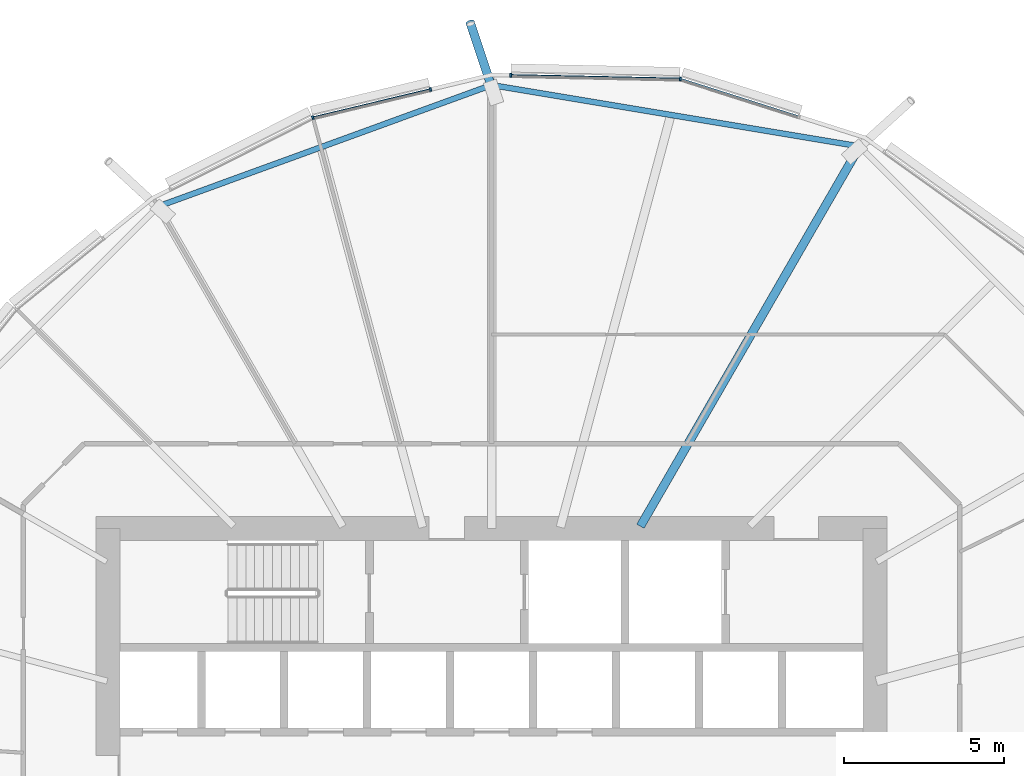
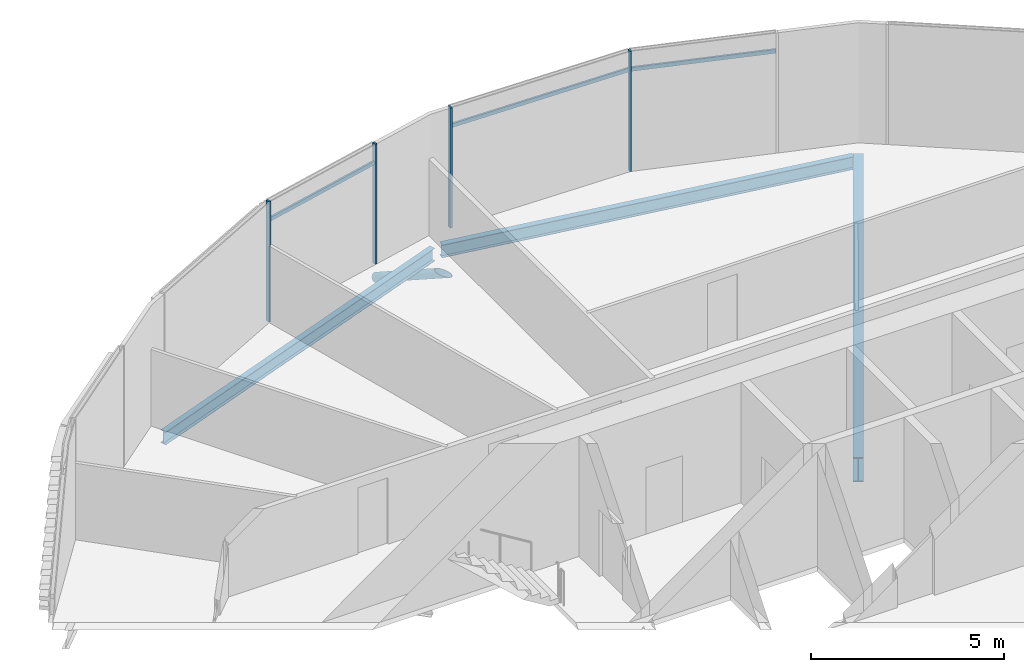
# One storey, part 17 of 39: 8 members, 3 beams, 1 element without a shape of its own.
"""IFC4 building model written with IfcOpenShell, lengths in metres."""

import ifcopenshell
import ifcopenshell.guid

model = None  # the IFC model being written
_history = None  # IfcOwnerHistory: only IFC2X3 demands one
_inside = {}  # id of a spatial element -> (the spatial element, [elements in it])
_under = {}  # id of a project, library or spatial element -> (it, [spatial elements below it])
_declared = {}  # id of a project -> (the project, [libraries it declares])
_typed = {}  # id of a type object -> (the type object, [elements of that type])
_made_of = {}  # id of a material, layer set ... -> (it, [elements and type objects made of it])


def new_model(schema):
    """Start an empty IFC model of exactly this schema.

    Asked for "IFC4X3", IfcOpenShell would pick the latest addendum, in which some entities
    have other attributes; the version numbers below select the first issue.
    IFC2X3 requires an IfcOwnerHistory on every rooted entity: one is made here for all.
    """
    global model, _history
    if schema == "IFC4X3":
        model = ifcopenshell.file(schema_version=(4, 3, 0, 0))
    else:
        model = ifcopenshell.file(schema=schema)
    _inside.clear()
    _under.clear()
    _declared.clear()
    _typed.clear()
    _made_of.clear()
    _history = None
    if model.schema == "IFC2X3":
        org = make("IfcOrganization", Name="unknown")
        user = make(
            "IfcPersonAndOrganization",
            ThePerson=make("IfcPerson", FamilyName="unknown"),
            TheOrganization=org,
        )
        app = make(
            "IfcApplication",
            ApplicationDeveloper=org,
            Version="unknown",
            ApplicationFullName="unknown",
            ApplicationIdentifier="unknown",
        )
        _history = make(
            "IfcOwnerHistory",
            OwningUser=user,
            OwningApplication=app,
            ChangeAction="ADDED",
            CreationDate=0,
        )
    return model


def make(cls, **values):
    """One entity of the class cls with the attributes given. An attribute that is None is left unset."""
    return model.create_entity(
        cls, **{name: value for name, value in values.items() if value is not None}
    )


def rooted(cls, **values):
    """An entity with a GlobalId (a new one), such as an element, a storey or a relation."""
    return make(cls, GlobalId=ifcopenshell.guid.new(), OwnerHistory=_history, **values)


def si_unit(unit_type, name, prefix=None):
    """IfcSIUnit, for example si_unit("LENGTHUNIT", "METRE", prefix="MILLI")."""
    return make("IfcSIUnit", UnitType=unit_type, Prefix=prefix, Name=name)


def assignment(units):
    """IfcUnitAssignment: the units of a project."""
    return None if units is None else make("IfcUnitAssignment", Units=units)


def point(xyz):
    """IfcCartesianPoint."""
    return None if xyz is None else make("IfcCartesianPoint", Coordinates=xyz)


def direction(xyz):
    """IfcDirection."""
    return None if xyz is None else make("IfcDirection", DirectionRatios=xyz)


def frame(location, z_axis=None, x_axis=None):
    """IfcAxis2Placement3D, a coordinate frame: its origin and axes. An axis left out is left unset."""
    return make(
        "IfcAxis2Placement3D",
        Location=point(location),
        Axis=direction(z_axis),
        RefDirection=direction(x_axis),
    )


def frame_2d(location, x_axis=None):
    """IfcAxis2Placement2D, a coordinate frame in the plane: its origin and x axis."""
    return make(
        "IfcAxis2Placement2D", Location=point(location), RefDirection=direction(x_axis)
    )


def origin():
    """The frame at (0, 0, 0) with its axes left unset."""
    return frame((0.0, 0.0, 0.0))


def origin_2d():
    """The frame at (0, 0) in the plane with its x axis left unset."""
    return frame_2d((0.0, 0.0))


def place(relative_to, where):
    """IfcLocalPlacement: puts the frame where relative to a parent placement (None: the world)."""
    return make(
        "IfcLocalPlacement", PlacementRelTo=relative_to, RelativePlacement=where
    )


def context(
    kind, dimensions, precision=None, world=None, true_north=None, identifier=None
):
    """IfcGeometricRepresentationContext, for example the 3D "Model" context."""
    return make(
        "IfcGeometricRepresentationContext",
        ContextIdentifier=identifier,
        ContextType=kind,
        CoordinateSpaceDimension=dimensions,
        Precision=precision,
        WorldCoordinateSystem=world,
        TrueNorth=true_north,
    )


def subcontext(parent, identifier, kind, view, scale=None):
    """IfcGeometricRepresentationSubContext, for example "Body" below "Model"."""
    return make(
        "IfcGeometricRepresentationSubContext",
        ContextIdentifier=identifier,
        ContextType=kind,
        ParentContext=parent,
        TargetScale=scale,
        TargetView=view,
    )


def project(units=None, contexts=None):
    """IfcProject with its units and contexts."""
    return rooted(
        "IfcProject",
        Name="project",
        RepresentationContexts=contexts,
        UnitsInContext=assignment(units),
    )


def spatial(cls, under=None, at=None, **own):
    """A site, building, storey or space (cls), placed at a placement, below another one or the project."""
    s = rooted(cls, ObjectPlacement=at, **own)
    if under is not None:
        _under.setdefault(under.id(), (under, []))[1].append(s)
    return s


def profile(cls, at=None, kind="AREA", **sizes):
    """A parametric profile (cls). Its sizes go by their IFC names, for example OverallWidth=200.0."""
    return make(cls, ProfileType=kind, Position=at, **sizes)


def rectangle(**sizes):
    """IfcRectangleProfileDef."""
    return profile("IfcRectangleProfileDef", **sizes)


def hollow_circle(**sizes):
    """IfcCircleHollowProfileDef."""
    return profile("IfcCircleHollowProfileDef", **sizes)


def i_section(**sizes):
    """IfcIShapeProfileDef."""
    return profile("IfcIShapeProfileDef", **sizes)


def extrude(swept, where, along, depth):
    """IfcExtrudedAreaSolid: the profile swept, set in the frame where, extruded along a direction by depth."""
    return make(
        "IfcExtrudedAreaSolid",
        SweptArea=swept,
        Position=where,
        ExtrudedDirection=direction(along),
        Depth=depth,
    )


def clip(a, b, op="DIFFERENCE"):
    """IfcBooleanClippingResult: the solid a cut by the half space b."""
    return make(
        "IfcBooleanClippingResult", Operator=op, FirstOperand=a, SecondOperand=b
    )


def halfspace(plane, agree):
    """IfcHalfSpaceSolid: all space on one side of the plane z = 0 of the frame plane."""
    return make(
        "IfcHalfSpaceSolid",
        BaseSurface=make("IfcPlane", Position=plane),
        AgreementFlag=agree,
    )


def shape(context_of_items, identifier, shape_type, items):
    """IfcShapeRepresentation: the items that make up one representation, for example the "Body"."""
    return make(
        "IfcShapeRepresentation",
        ContextOfItems=context_of_items,
        RepresentationIdentifier=identifier,
        RepresentationType=shape_type,
        Items=items,
    )


def material(Name=None, Category=None):
    """IfcMaterial."""
    return make("IfcMaterial", Name=Name, Category=Category)


def material_profile(
    of_material, cross_section, Name=None, Category=None, Priority=None
):
    """IfcMaterialProfile: a cross section and its material."""
    return make(
        "IfcMaterialProfile",
        Name=Name,
        Material=of_material,
        Profile=cross_section,
        Priority=Priority,
        Category=Category,
    )


def profile_set(profiles, Name=None, composite=None):
    """IfcMaterialProfileSet."""
    return make(
        "IfcMaterialProfileSet",
        Name=Name,
        MaterialProfiles=profiles,
        CompositeProfile=composite,
    )


def made_of(thing, what):
    """Note that an element or type object is made of a material, layer set ...; save() writes the relation."""
    if what is not None:
        _made_of.setdefault(what.id(), (what, []))[1].append(thing)
    return thing


def type_object(cls, material=None, **own):
    """A type object (cls), such as IfcWallType, which elements share."""
    return made_of(rooted(cls, **own), material)


def element(
    cls,
    number,
    at=None,
    inside=None,
    cuts=None,
    type_object=None,
    material=None,
    context=None,
    identifier="Body",
    shape_type=None,
    held_by="IfcProductDefinitionShape",
    body=None,
    shapes=None,
    **own,
):
    """One element of the class cls, such as IfcWall. Its Tag is "e" and its number.

    at: its placement. inside: the storey or other place that contains it. cuts: it is an
    opening in that element (IfcRelVoidsElement). A single representation is given by context,
    identifier, shape_type and body (its items); several are given by shapes. held_by: the class
    of the entity that holds the representations. save() writes the other relations.
    """
    e = rooted(cls, Tag="e%d" % number, ObjectPlacement=at, **own)
    if body is not None:
        shapes = [shape(context, identifier, shape_type, body)]
    if shapes is not None:
        e.Representation = make(held_by, Representations=shapes)
    if inside is not None:
        _inside.setdefault(inside.id(), (inside, []))[1].append(e)
    if cuts is not None:
        rooted(
            "IfcRelVoidsElement", RelatingBuildingElement=cuts, RelatedOpeningElement=e
        )
    if type_object is not None:
        _typed.setdefault(type_object.id(), (type_object, []))[1].append(e)
    return made_of(e, material)


def aggregate(whole, parts):
    """IfcRelAggregates: a whole, such as a stair, and the parts it consists of."""
    return rooted("IfcRelAggregates", RelatingObject=whole, RelatedObjects=parts)


def save(model, path):
    """Write the relations noted so far, then the file.

    IfcRelAggregates (storeys below a building ...), IfcRelContainedInSpatialStructure (elements
    in a storey), IfcRelDefinesByType, IfcRelAssociatesMaterial and IfcRelDeclares: one each for
    every whole, place, type object, material and project.
    """
    for whole, parts in _under.values():
        aggregate(whole, parts)
    for where, things in _inside.values():
        rooted(
            "IfcRelContainedInSpatialStructure",
            RelatedElements=things,
            RelatingStructure=where,
        )
    for kind, things in _typed.values():
        rooted("IfcRelDefinesByType", RelatedObjects=things, RelatingType=kind)
    for what, things in _made_of.values():
        rooted("IfcRelAssociatesMaterial", RelatedObjects=things, RelatingMaterial=what)
    for by, libraries in _declared.values():
        rooted("IfcRelDeclares", RelatingContext=by, RelatedDefinitions=libraries)
    model.write(path)


model = new_model("IFC4")

# Units and contexts
model_context = context("Model", 3, precision=1e-05, world=origin(), true_north=direction((0.0, 1.0)))
body_context = subcontext(model_context, "Body", "Model", "MODEL_VIEW")
ifc_project = project(units=[si_unit("LENGTHUNIT", "METRE"), si_unit("AREAUNIT", "SQUARE_METRE"), si_unit("VOLUMEUNIT", "CUBIC_METRE"), si_unit("PLANEANGLEUNIT", "RADIAN"), si_unit("MASSUNIT", "GRAM", prefix="KILO")], contexts=[model_context])

# Site, building, storey
site_placement = place(None, origin())
site = spatial("IfcSite", under=ifc_project, at=site_placement, CompositionType="ELEMENT")
building_placement = place(site_placement, origin())
building = spatial("IfcBuilding", under=site, at=building_placement, Name="Rimbun Link Towers", CompositionType="ELEMENT")
storey_placement = place(building_placement, frame((0.0, 0.0, 96.800048828125)))
storey = spatial("IfcBuildingStorey", under=building, at=storey_placement, Name="L23", CompositionType="ELEMENT", Elevation=96.800048828125)

# Curtain wall, members
ifc_material_1 = material(Name="Aluminium 6063-T6 and low-iron glass", Category="aluminium")
curtain_wall_type = type_object("IfcCurtainWallType", Name="CW1-Z2 unitised vision wall (zone 2)", PredefinedType="NOTDEFINED", material=ifc_material_1)
curtain_wall_placement = place(storey_placement, origin())
curtain_wall = element("IfcCurtainWall", 1, at=curtain_wall_placement, inside=storey, type_object=curtain_wall_type, Name="CW1 L23 T2", PredefinedType="NOTDEFINED")
ifc_material_2 = material(Name="Aluminium 6063-T6", Category="aluminium")
ifc_material_profile_1 = material_profile(ifc_material_2, rectangle(XDim=0.1201171875, YDim=0.06005859375, at=origin_2d()), Name="MULLION 60X120")
ifc_profile_set_1 = profile_set([ifc_material_profile_1], Name="Aluminium 6063-T6")
member_type_1 = type_object("IfcMemberType", Name="CW1 mullion 60X120", PredefinedType="MULLION", material=ifc_profile_set_1)
member_1_placement = place(storey_placement, frame((37.656005859375, 22.06396484375, 0.0), z_axis=(0.0, 0.0, 1.0), x_axis=(0.16374422533, 0.986502827503, 0.0)))
member_1 = element("IfcMember", 2, at=member_1_placement, type_object=member_type_1, Name="CW1 mullion", PredefinedType="MULLION", context=body_context, shape_type="SweptSolid", body=[
    extrude(rectangle(XDim=0.1201171875, YDim=0.06005859375, at=origin_2d()), origin(), (0.0, 0.0, 1.0), 3.800048828125),
])
member_2_placement = place(storey_placement, frame((32.35107421875, 22.17626953125, 0.0), z_axis=(0.0, 0.0, 1.0), x_axis=(0.021059742681, 0.999778219026, 0.0)))
member_2 = element("IfcMember", 3, at=member_2_placement, type_object=member_type_1, Name="CW1 mullion", PredefinedType="MULLION", context=body_context, shape_type="SweptSolid", body=[
    extrude(rectangle(XDim=0.1201171875, YDim=0.06005859375, at=origin_2d()), origin(), (0.0, 0.0, 1.0), 3.800048828125),
])
member_3_placement = place(storey_placement, frame((26.156982421875, 20.8525390625, 0.0), z_axis=(0.0, 0.0, 1.0), x_axis=(-0.34296997, 0.939346368321, 0.0)))
member_3 = element("IfcMember", 4, at=member_3_placement, type_object=member_type_1, Name="CW1 mullion", PredefinedType="MULLION", context=body_context, shape_type="SweptSolid", body=[
    extrude(rectangle(XDim=0.1201171875, YDim=0.06005859375, at=origin_2d()), origin(), (0.0, 0.0, 1.0), 3.800048828125),
])
member_4_placement = place(storey_placement, frame((29.839599609375, 21.73388671875, 0.0), z_axis=(0.0, 0.0, 1.0), x_axis=(-0.232601207201, 0.972572197016, 0.0)))
member_4 = element("IfcMember", 5, at=member_4_placement, type_object=member_type_1, Name="CW1 mullion", PredefinedType="MULLION", context=body_context, shape_type="SweptSolid", body=[
    extrude(rectangle(XDim=0.1201171875, YDim=0.06005859375, at=origin_2d()), origin(), (0.0, 0.0, 1.0), 3.800048828125),
])
ifc_material_3 = material(Name="Aluminium 6063-T6", Category="aluminium")
ifc_material_profile_2 = material_profile(ifc_material_3, rectangle(XDim=0.06005859375, YDim=0.1201171875, at=origin_2d()), Name="TRANSOM 60X120")
ifc_profile_set_2 = profile_set([ifc_material_profile_2], Name="Aluminium 6063-T6")
member_type_2 = type_object("IfcMemberType", Name="CW1 transom 60X120", PredefinedType="USERDEFINED", material=ifc_profile_set_2)
member_5_placement = place(storey_placement, frame((37.6923828125, 22.051025390625, 3.199951171875), z_axis=(0.952957620536, -0.303103568873, 0.0), x_axis=(0.303103568873, 0.952957620536, 0.0)))
member_5 = element("IfcMember", 6, at=member_5_placement, type_object=member_type_2, Name="CW1 transom", ObjectType="TRANSOM", PredefinedType="USERDEFINED", context=body_context, shape_type="SweptSolid", body=[
    extrude(rectangle(XDim=0.06005859375, YDim=0.1201171875, at=origin_2d()), origin(), (0.0, 0.0, 1.0), 3.825927734375),
])
member_6_placement = place(storey_placement, frame((32.381103515625, 22.173828125, 3.199951171875), z_axis=(0.999778012438, -0.021069547819, 0.0), x_axis=(0.021069547819, 0.999778012438, 0.0)))
member_6 = element("IfcMember", 7, at=member_6_placement, type_object=member_type_2, Name="CW1 transom", ObjectType="TRANSOM", PredefinedType="USERDEFINED", context=body_context, shape_type="SweptSolid", body=[
    extrude(rectangle(XDim=0.06005859375, YDim=0.1201171875, at=origin_2d()), origin(), (0.0, 0.0, 1.0), 5.237548828125),
])
member_7_placement = place(storey_placement, frame((26.193359375, 20.859619140625, 3.199951171875), z_axis=(0.972566948081, 0.232623153405, 0.0), x_axis=(-0.232623153405, 0.972566948081, 0.0)))
member_7 = element("IfcMember", 8, at=member_7_placement, type_object=member_type_2, Name="CW1 transom", ObjectType="TRANSOM", PredefinedType="USERDEFINED", context=body_context, shape_type="SweptSolid", body=[
    extrude(rectangle(XDim=0.06005859375, YDim=0.1201171875, at=origin_2d()), origin(), (0.0, 0.0, 1.0), 3.719482421875),
])
aggregate(curtain_wall, [member_1, member_2, member_3, member_4, member_5, member_6, member_7])

# Member
ifc_material_4 = material(Name="Steel S355J2H", Category="steel")
ifc_material_profile_3 = material_profile(ifc_material_4, hollow_circle(Radius=0.136474609375, WallThickness=0.012451171875, at=origin_2d()), Name="CHS 273x12.5")
ifc_profile_set_3 = profile_set([ifc_material_profile_3], Name="Steel S355J2H")
member_type_3 = type_object("IfcMemberType", Name="Floor edge link CHS 273x12.5", PredefinedType="BRACE", material=ifc_profile_set_3)
member_8_placement = place(storey_placement, frame((31.75, 21.822021484375, -1.042724609375), z_axis=(-0.279200474346, 0.84066171322, -0.464042001388), x_axis=(-0.949028209952, -0.315191143143, 0.0)))
element("IfcMember", 9, at=member_8_placement, inside=storey, type_object=member_type_3, Name="Floor edge link T2 L23 03", PredefinedType="BRACE", context=body_context, shape_type="Clipping", body=[
    clip(extrude(hollow_circle(Radius=0.136474609375, WallThickness=0.012451171875, at=origin_2d()), frame((0.0, 0.0, -0.542724609375)), (0.0, 0.0, 1.0), 2.93603515625), halfspace(frame((0.0, 0.0, -0.25537109375), z_axis=(0.0, 0.885813197547, -0.464042001388)), False)),
])

# Beams
ifc_material_5 = material(Name="Steel S355J2", Category="steel")
ifc_material_profile_4 = material_profile(ifc_material_5, i_section(OverallWidth=0.177978515625, OverallDepth=0.406494140625, WebThickness=0.0078125, FlangeThickness=0.0126953125, at=origin_2d()), Name="UB 406x178x60")
ifc_profile_set_4 = profile_set([ifc_material_profile_4], Name="Steel S355J2")
beam_type_1 = type_object("IfcBeamType", Name="UB 406x178x60", PredefinedType="BEAM", material=ifc_profile_set_4)
beam_1_placement = place(storey_placement, frame((43.12890625, 19.977294921875, -0.36328125), z_axis=(-0.986419380736, 0.164246172888, 0.0), x_axis=(-0.164246172888, -0.986419380736, 0.0)))
element("IfcBeam", 10, at=beam_1_placement, inside=storey, type_object=beam_type_1, Name="Edge beam T2 L23 01-03", PredefinedType="BEAM", context=body_context, shape_type="SweptSolid", body=[
    extrude(i_section(OverallWidth=0.177978515625, OverallDepth=0.406494140625, WebThickness=0.0078125, FlangeThickness=0.0126953125, at=origin_2d()), origin(), (0.0, 0.0, 1.0), 11.3994140625),
])
beam_2_placement = place(storey_placement, frame((31.61572265625, 21.822998046875, -0.36328125), z_axis=(-0.939632941759, -0.342184065616, 0.0), x_axis=(0.342184065616, -0.939632941759, 0.0)))
element("IfcBeam", 11, at=beam_2_placement, inside=storey, type_object=beam_type_1, Name="Edge beam T2 L23 03-05", PredefinedType="BEAM", context=body_context, shape_type="SweptSolid", body=[
    extrude(i_section(OverallWidth=0.177978515625, OverallDepth=0.406494140625, WebThickness=0.0078125, FlangeThickness=0.0126953125, at=origin_2d()), origin(), (0.0, 0.0, 1.0), 10.844970703125),
])
ifc_material_6 = material(Name="Steel S355J2", Category="steel")
ifc_material_profile_5 = material_profile(ifc_material_6, i_section(OverallWidth=0.2666015625, OverallDepth=0.76220703125, WebThickness=0.014404296875, FlangeThickness=0.021484375, at=origin_2d()), Name="UB 762x267x173")
ifc_profile_set_5 = profile_set([ifc_material_profile_5], Name="Steel S355J2")
beam_type_2 = type_object("IfcBeamType", Name="UB 762x267x173", PredefinedType="BEAM", material=ifc_profile_set_5)
beam_3_placement = place(storey_placement, frame((36.40771484375, 8.0673828125, -0.541259765625), z_axis=(0.500007303237, 0.866021187218, 0.0), x_axis=(-0.866021187218, 0.500007303237, 0.0)))
element("IfcBeam", 12, at=beam_3_placement, inside=storey, type_object=beam_type_2, Name="Radial beam T2 L23 01", PredefinedType="BEAM", context=body_context, shape_type="SweptSolid", body=[
    extrude(i_section(OverallWidth=0.2666015625, OverallDepth=0.76220703125, WebThickness=0.014404296875, FlangeThickness=0.021484375, at=origin_2d()), origin(), (0.0, 0.0, 1.0), 13.725341796875),
])

save(model, "model.ifc")
